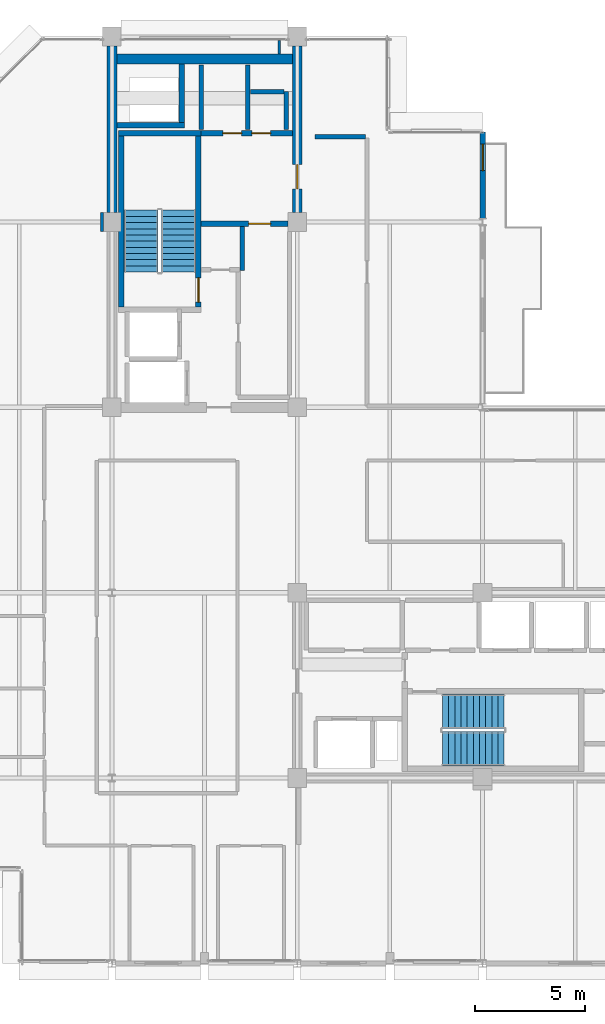
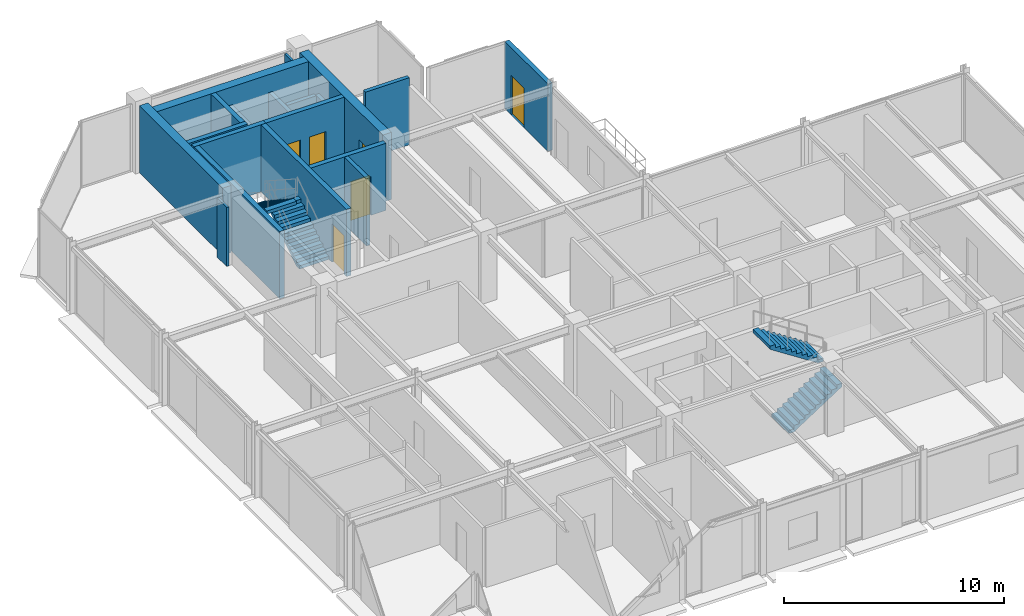
# One storey, part 23 of 27: 19 walls, 6 doors, 4 stair flights, 6 openings, 2 elements without a shape of their own.
"""IFC4 building model written with IfcOpenShell, lengths in metres."""

from ifc_helpers import new_model, si_unit, direction, frame, frame_2d, origin, place, context, subcontext, project, spatial, polyline, rectangle, outline, extrude, material, layer, layer_set, type_object, element, fill, aggregate, save


model = new_model("IFC4")

# Units and contexts
model_context = context("Model", 3, precision=1e-05, world=origin(), true_north=direction((0.0, 1.0)))
body_context = subcontext(model_context, "Body", "Model", "MODEL_VIEW")
ifc_project = project(units=[si_unit("LENGTHUNIT", "METRE"), si_unit("AREAUNIT", "SQUARE_METRE"), si_unit("VOLUMEUNIT", "CUBIC_METRE"), si_unit("PLANEANGLEUNIT", "RADIAN"), si_unit("MASSUNIT", "GRAM", prefix="KILO")], contexts=[model_context])

# Site, building, storey
site_placement = place(None, origin())
site = spatial("IfcSite", under=ifc_project, at=site_placement, CompositionType="ELEMENT")
building_placement = place(site_placement, origin())
building = spatial("IfcBuilding", under=site, at=building_placement, Name="Nerrivon Quay Data Exchange", CompositionType="ELEMENT")
storey_placement = place(building_placement, frame((0.0, 0.0, 278.199951171875)))
storey = spatial("IfcBuildingStorey", under=building, at=storey_placement, Name="L66", CompositionType="ELEMENT", Elevation=278.199951171875)

# Wall, opening, door
ifc_material_1 = material(Name="Architectural terracotta precast concrete N50 (50 MPa)", Category="masonry")
ifc_layer_1 = layer(ifc_material_1, 0.239990234375)
ifc_layer_set_1 = layer_set([ifc_layer_1], Name="Architectural terracotta precast concrete N50 (50 MPa)")
wall_type_1 = type_object("IfcWallType", Name="EW-PREC-240", PredefinedType="STANDARD", material=ifc_layer_set_1)
wall_1_placement = place(storey_placement, frame((25.199951171875, 37.679931640625, 0.0), z_axis=(0.0, 0.0, 1.0), x_axis=(0.0, -1.0, 0.0)))
wall_1 = element("IfcWall", 1, at=wall_1_placement, inside=storey, type_object=wall_type_1, Name="L66 Terrace Host Wall 22", PredefinedType="STANDARD", context=body_context, shape_type="SweptSolid", body=[
    extrude(rectangle(XDim=3.91650390625, YDim=0.239990234375, at=frame_2d((1.958251953125, 0.0))), origin(), (0.0, 0.0, 1.0), 3.72509765625),
])
opening_1_placement = place(wall_1_placement, frame((0.550048828125, 0.0, 0.0)))
opening_1 = element("IfcOpeningElement", 2, at=opening_1_placement, cuts=wall_1, Name="Opening TD1", PredefinedType="OPENING", context=body_context, shape_type="SweptSolid", body=[
    extrude(rectangle(XDim=1.199951171875, YDim=2.199951171875, at=frame_2d((0.60009765625, 1.10009765625))), frame((0.0, 0.1298828125, 0.0), z_axis=(0.0, -1.0, 0.0), x_axis=(1.0, 0.0, 0.0)), (0.0, 0.0, 1.0), 0.260009765625),
])
ifc_material_2 = material(Name="Double-glazed low-E solar control glass", Category="glass")
door_type_1 = type_object("IfcDoorType", Name="DR-TERR-1200x2200", OperationType="NOTDEFINED", PredefinedType="DOOR", material=ifc_material_2)
door_1_placement = place(opening_1_placement, origin())
door_1 = element("IfcDoor", 3, at=door_1_placement, inside=storey, type_object=door_type_1, Name="L66 Outdoor Terrace Access Door 22", OperationType="SINGLE_SWING_LEFT", OverallHeight=2.199951171875, OverallWidth=1.199951171875, PredefinedType="DOOR", context=body_context, shape_type="SweptSolid", body=[
    extrude(rectangle(XDim=1.199951171875, YDim=2.199951171875, at=frame_2d((0.60009765625, 1.10009765625))), frame((0.0, 0.02490234375, 0.0), z_axis=(0.0, -1.0, 0.0), x_axis=(1.0, 0.0, 0.0)), (0.0, 0.0, 1.0), 0.050048828125),
])
fill(opening_1, door_1)

# Walls
ifc_material_3 = material(Name="Concrete N50 (50 MPa)", Category="concrete")
ifc_layer_2 = layer(ifc_material_3, 0.449951171875)
ifc_layer_set_2 = layer_set([ifc_layer_2], Name="Concrete N50 (50 MPa)")
wall_type_2 = type_object("IfcWallType", Name="WALL-CW-550", PredefinedType="SHEAR", material=ifc_layer_set_2)
wall_2_placement = place(storey_placement, frame((8.39990234375, 34.02490234375, 0.0), z_axis=(0.0, 0.0, 1.0), x_axis=(0.0, 1.0, 0.0)))
element("IfcWall", 4, at=wall_2_placement, inside=storey, type_object=wall_type_2, Name="L66 West Split-Core Shear Wall WCW-W2", PredefinedType="SHEAR", context=body_context, shape_type="SweptSolid", body=[
    extrude(rectangle(XDim=7.550048828125, YDim=0.449951171875, at=frame_2d((3.77490234375, 0.0))), origin(), (0.0, 0.0, 1.0), 3.72509765625),
])
wall_3_placement = place(storey_placement, frame((8.625, 40.97509765625, 0.0), z_axis=(0.0, 0.0, 1.0), x_axis=(1.0, 0.0, 0.0)))
element("IfcWall", 5, at=wall_3_placement, inside=storey, type_object=wall_type_2, Name="L66 West Split-Core Shear Wall WCW-N1", PredefinedType="SHEAR", context=body_context, shape_type="SweptSolid", body=[
    extrude(rectangle(XDim=7.949951171875, YDim=0.449951171875, at=frame_2d((3.97509765625, 0.0))), origin(), (0.0, 0.0, 1.0), 3.72509765625),
])

# Wall, opening, door
wall_4_placement = place(storey_placement, frame((16.800048828125, 34.02490234375, 0.0), z_axis=(0.0, 0.0, 1.0), x_axis=(0.0, 1.0, 0.0)))
wall_4 = element("IfcWall", 6, at=wall_4_placement, inside=storey, type_object=wall_type_2, Name="L66 West Split-Core Shear Wall WCW-E1", PredefinedType="SHEAR", context=body_context, shape_type="SweptSolid", body=[
    extrude(rectangle(XDim=7.550048828125, YDim=0.449951171875, at=frame_2d((3.77490234375, 0.0))), origin(), (0.0, 0.0, 1.0), 3.72509765625),
])
opening_2_placement = place(wall_4_placement, frame((1.074951171875, 0.0, 0.0)))
opening_2 = element("IfcOpeningElement", 7, at=opening_2_placement, cuts=wall_4, Name="Opening FD-120", PredefinedType="OPENING", context=body_context, shape_type="SweptSolid", body=[
    extrude(rectangle(XDim=1.10009765625, YDim=2.14990234375, at=frame_2d((0.550048828125, 1.074951171875))), frame((0.0, 0.23486328125, 0.0), z_axis=(0.0, -1.0, 0.0), x_axis=(1.0, 0.0, 0.0)), (0.0, 0.0, 1.0), 0.469970703125),
])
ifc_material_4 = material(Name="Powder-coated galvanized steel sheet", Category="steel")
door_type_2 = type_object("IfcDoorType", Name="DR-FD120-1100", OperationType="NOTDEFINED", PredefinedType="DOOR", material=ifc_material_4)
door_2_placement = place(opening_2_placement, origin())
door_2 = element("IfcDoor", 8, at=door_2_placement, inside=storey, type_object=door_type_2, Name="L66 West Core Lobby Fire Door", OperationType="SINGLE_SWING_RIGHT", OverallHeight=2.14990234375, OverallWidth=1.10009765625, PredefinedType="DOOR", context=body_context, shape_type="SweptSolid", body=[
    extrude(rectangle(XDim=1.10009765625, YDim=2.14990234375, at=frame_2d((0.550048828125, 1.074951171875))), frame((0.0, 0.02490234375, 0.0), z_axis=(0.0, -1.0, 0.0), x_axis=(1.0, 0.0, 0.0)), (0.0, 0.0, 1.0), 0.050048828125),
])
fill(opening_2, door_2)

# Walls
ifc_material_5 = material(Name="Gypsum plasterboard on cold-formed framing", Category="gypsum")
ifc_layer_3 = layer(ifc_material_5, 0.199951171875)
ifc_layer_set_3 = layer_set([ifc_layer_3], Name="Gypsum plasterboard on cold-formed framing")
wall_type_3 = type_object("IfcWallType", Name="WALL-FW-200", PredefinedType="PARTITIONING", material=ifc_layer_set_3)
wall_5_placement = place(storey_placement, frame((14.300048828125, 33.39111328125, 0.0), z_axis=(0.0, 0.0, 1.0), x_axis=(0.0, -1.0, 0.0)))
element("IfcWall", 9, at=wall_5_placement, inside=storey, type_object=wall_type_3, Name="L66 Partition Core Equipment Store", PredefinedType="PARTITIONING", context=body_context, shape_type="SweptSolid", body=[
    extrude(rectangle(XDim=1.9912109375, YDim=0.199951171875, at=frame_2d((0.99560546875, 0.0))), origin(), (0.0, 0.0, 1.0), 3.72509765625),
])
for number, where, z_axis, x_axis, name in (
    (10, (14.550048828125, 37.780029296875, 0.0), (0.0, 0.0, 1.0), (0.0, 1.0, 0.0), "L66 Partition Electrical Switchboard Closet"),
    (11, (12.449951171875, 40.699951171875, 0.0), (0.0, 0.0, 1.0), (0.0, -1.0, 0.0), "L66 Partition Electrical Switchboard Closet"),
):
    element("IfcWall", number, at=place(storey_placement, frame(where, z_axis=z_axis, x_axis=x_axis)), inside=storey, type_object=wall_type_3, Name=name, PredefinedType="PARTITIONING", context=body_context, shape_type="SweptSolid", body=[
        extrude(rectangle(XDim=2.919921875, YDim=0.199951171875, at=frame_2d((1.4599609375, 0.0))), origin(), (0.0, 0.0, 1.0), 2.775146484375),
    ])
wall_6_placement = place(storey_placement, frame((16.300048828125, 37.780029296875, 0.0), z_axis=(0.0, 0.0, 1.0), x_axis=(0.0, 1.0, 0.0)))
element("IfcWall", 12, at=wall_6_placement, inside=storey, type_object=wall_type_3, Name="L66 Partition Janitor Closet", PredefinedType="PARTITIONING", context=body_context, shape_type="SweptSolid", body=[
    extrude(rectangle(XDim=1.719970703125, YDim=0.199951171875, at=frame_2d((0.85986328125, 0.0))), origin(), (0.0, 0.0, 1.0), 2.775146484375),
])
wall_7_placement = place(storey_placement, frame((16.196044921875, 39.5, 0.0), z_axis=(0.0, 0.0, 1.0), x_axis=(-1.0, 0.0, 0.0)))
element("IfcWall", 13, at=wall_7_placement, inside=storey, type_object=wall_type_3, Name="L66 Partition Janitor Closet", PredefinedType="PARTITIONING", context=body_context, shape_type="SweptSolid", body=[
    extrude(rectangle(XDim=1.506103515625, YDim=0.199951171875, at=frame_2d((0.7529296875, 0.0))), origin(), (0.0, 0.0, 1.0), 2.775146484375),
])
wall_8_placement = place(storey_placement, frame((17.60009765625, 37.4599609375, 0.0), z_axis=(0.0, 0.0, 1.0), x_axis=(1.0, 0.0, 0.0)))
element("IfcWall", 14, at=wall_8_placement, inside=storey, type_object=wall_type_3, Name="L66 Partition Colocation Data Workspace 1", PredefinedType="PARTITIONING", context=body_context, shape_type="SweptSolid", body=[
    extrude(rectangle(XDim=2.2998046875, YDim=0.199951171875, at=frame_2d((1.14990234375, 0.0))), origin(), (0.0, 0.0, 1.0), 3.72509765625),
])
ifc_layer_4 = layer(ifc_material_5, 0.1201171875)
ifc_layer_set_4 = layer_set([ifc_layer_4], Name="Gypsum plasterboard on cold-formed framing")
wall_type_4 = type_object("IfcWallType", Name="WALL-PT-120", PredefinedType="PARTITIONING", material=ifc_layer_set_4)
wall_9_placement = place(storey_placement, frame((7.955810546875, 33.169189453125, 0.0), z_axis=(0.0, 0.0, 1.0), x_axis=(-0.000855919801, 0.999999633701, 0.0)))
element("IfcWall", 15, at=wall_9_placement, inside=storey, type_object=wall_type_4, Name="L66 Partition Technical Library", PredefinedType="PARTITIONING", context=body_context, shape_type="SweptSolid", body=[
    extrude(rectangle(XDim=0.855712890625, YDim=0.1201171875, at=frame_2d((0.427734375, 0.0))), origin(), (0.0, 0.0, 1.0), 3.27099609375),
])
wall_10_placement = place(storey_placement, frame((15.98388671875, 41.2041015625, 0.0), z_axis=(0.0, 0.0, 1.0), x_axis=(0.0, 1.0, 0.0)))
element("IfcWall", 16, at=wall_10_placement, inside=storey, type_object=wall_type_4, Name="L66 Partition Technical Library", PredefinedType="PARTITIONING", context=body_context, shape_type="SweptSolid", body=[
    extrude(rectangle(XDim=0.626953125, YDim=0.1201171875, at=frame_2d((0.3134765625, 0.0))), origin(), (0.0, 0.0, 1.0), 3.72509765625),
])
ifc_layer_5 = layer(ifc_material_3, 0.25)
ifc_layer_set_5 = layer_set([ifc_layer_5], Name="Concrete N50 (50 MPa)")
wall_type_5 = type_object("IfcWallType", Name="WALL-SW-250", PredefinedType="SHEAR", material=ifc_layer_set_5)
wall_11_placement = place(storey_placement, frame((12.449951171875, 37.625, 0.0), z_axis=(0.0, 0.0, 1.0), x_axis=(-1.0, 0.0, 0.0)))
element("IfcWall", 17, at=wall_11_placement, inside=storey, type_object=wall_type_5, Name="L66 ST01 Structural Stair Core Wall FAR", PredefinedType="SHEAR", context=body_context, shape_type="SweptSolid", body=[
    extrude(rectangle(XDim=3.75, YDim=0.25, at=frame_2d((1.875, 0.0))), origin(), (0.0, 0.0, 1.0), 3.72509765625),
])

# Wall, opening, door
wall_12_placement = place(storey_placement, frame((12.324951171875, 29.75, 0.0), z_axis=(0.0, 0.0, 1.0), x_axis=(0.0, 1.0, 0.0)))
wall_12 = element("IfcWall", 18, at=wall_12_placement, inside=storey, type_object=wall_type_5, Name="L66 ST01 Structural Stair Core Wall LEFT", PredefinedType="SHEAR", context=body_context, shape_type="SweptSolid", body=[
    extrude(rectangle(XDim=7.75, YDim=0.25, at=frame_2d((3.875, 0.0))), origin(), (0.0, 0.0, 1.0), 3.72509765625),
])
opening_3_placement = place(wall_12_placement, frame((0.219970703125, 0.0, 0.0)))
opening_3 = element("IfcOpeningElement", 19, at=opening_3_placement, cuts=wall_12, Name="Opening FD-120", PredefinedType="OPENING", context=body_context, shape_type="SweptSolid", body=[
    extrude(rectangle(XDim=1.10009765625, YDim=2.14990234375, at=frame_2d((0.550048828125, 1.074951171875))), frame((0.0, 0.135009765625, 0.0), z_axis=(0.0, -1.0, 0.0), x_axis=(1.0, 0.0, 0.0)), (0.0, 0.0, 1.0), 0.27001953125),
])
door_3_placement = place(opening_3_placement, origin())
door_3 = element("IfcDoor", 20, at=door_3_placement, inside=storey, type_object=door_type_2, Name="L66 Protected Stair Door ST01", OperationType="SINGLE_SWING_RIGHT", OverallHeight=2.14990234375, OverallWidth=1.10009765625, PredefinedType="DOOR", context=body_context, shape_type="SweptSolid", body=[
    extrude(rectangle(XDim=1.10009765625, YDim=2.14990234375, at=frame_2d((0.550048828125, 1.074951171875))), frame((0.0, 0.02490234375, 0.0), z_axis=(0.0, -1.0, 0.0), x_axis=(1.0, 0.0, 0.0)), (0.0, 0.0, 1.0), 0.050048828125),
])
fill(opening_3, door_3)

# Walls
wall_13_placement = place(storey_placement, frame((8.824951171875, 29.75, 0.0), z_axis=(0.0, 0.0, 1.0), x_axis=(0.0, 1.0, 0.0)))
element("IfcWall", 21, at=wall_13_placement, inside=storey, type_object=wall_type_5, Name="L66 ST01 Structural Stair Core Wall RIGHT", PredefinedType="SHEAR", context=body_context, shape_type="SweptSolid", body=[
    extrude(rectangle(XDim=7.75, YDim=0.25, at=frame_2d((3.875, 0.0))), origin(), (0.0, 0.0, 1.0), 3.72509765625),
])
wall_14_placement = place(storey_placement, frame((8.625, 37.97509765625, 0.0), z_axis=(0.0, 0.0, 1.0), x_axis=(1.0, 0.0, 0.0)))
element("IfcWall", 22, at=wall_14_placement, inside=storey, type_object=wall_type_5, Name="L66 West Core MEP Riser Shaft Wall S", PredefinedType="SHEAR", context=body_context, shape_type="SweptSolid", body=[
    extrude(rectangle(XDim=3.074951171875, YDim=0.25, at=frame_2d((1.53759765625, 0.0))), origin(), (0.0, 0.0, 1.0), 3.72509765625),
])
wall_15_placement = place(storey_placement, frame((11.574951171875, 38.10009765625, 0.0), z_axis=(0.0, 0.0, 1.0), x_axis=(0.0, 1.0, 0.0)))
element("IfcWall", 23, at=wall_15_placement, inside=storey, type_object=wall_type_5, Name="L66 West Core MEP Riser Shaft Wall E", PredefinedType="SHEAR", context=body_context, shape_type="SweptSolid", body=[
    extrude(rectangle(XDim=2.64990234375, YDim=0.25, at=frame_2d((1.324951171875, 0.0))), origin(), (0.0, 0.0, 1.0), 3.72509765625),
])

# Wall, opening, door
wall_16_placement = place(storey_placement, frame((12.449951171875, 33.52001953125, 0.0), z_axis=(0.0, 0.0, 1.0), x_axis=(1.0, 0.0, 0.0)))
wall_16 = element("IfcWall", 24, at=wall_16_placement, inside=storey, type_object=wall_type_5, Name="L66 West Lobby Smoke-Stop Wall", PredefinedType="SHEAR", context=body_context, shape_type="SweptSolid", body=[
    extrude(rectangle(XDim=3.925048828125, YDim=0.25, at=frame_2d((1.96240234375, 0.0))), origin(), (0.0, 0.0, 1.0), 3.72509765625),
])
opening_4_placement = place(wall_16_placement, frame((2.14990234375, 0.0, 0.0)))
opening_4 = element("IfcOpeningElement", 25, at=opening_4_placement, cuts=wall_16, Name="Opening FD-60", PredefinedType="OPENING", context=body_context, shape_type="SweptSolid", body=[
    extrude(rectangle(XDim=1.0, YDim=2.14990234375, at=frame_2d((0.5, 1.074951171875))), frame((0.0, 0.135009765625, 0.0), z_axis=(0.0, -1.0, 0.0), x_axis=(1.0, 0.0, 0.0)), (0.0, 0.0, 1.0), 0.27001953125),
])
ifc_material_6 = material(Name="Engineered hardwood timber", Category="wood")
door_type_3 = type_object("IfcDoorType", Name="DR-FD60-1000", OperationType="NOTDEFINED", PredefinedType="DOOR", material=ifc_material_6)
door_4_placement = place(opening_4_placement, origin())
door_4 = element("IfcDoor", 26, at=door_4_placement, inside=storey, type_object=door_type_3, Name="L66 West Firefighting Lobby Fire Door", OperationType="SINGLE_SWING_RIGHT", OverallHeight=2.14990234375, OverallWidth=1.0, PredefinedType="DOOR", context=body_context, shape_type="SweptSolid", body=[
    extrude(rectangle(XDim=1.0, YDim=2.14990234375, at=frame_2d((0.5, 1.074951171875))), frame((0.0, 0.02490234375, 0.0), z_axis=(0.0, -1.0, 0.0), x_axis=(1.0, 0.0, 0.0)), (0.0, 0.0, 1.0), 0.050048828125),
])
fill(opening_4, door_4)

# Wall, openings, doors
wall_17_placement = place(storey_placement, frame((12.449951171875, 37.625, 0.0), z_axis=(0.0, 0.0, 1.0), x_axis=(1.0, 0.0, 0.0)))
wall_17 = element("IfcWall", 27, at=wall_17_placement, inside=storey, type_object=wall_type_5, Name="L66 West Firefighting Lobby Wall", PredefinedType="SHEAR", context=body_context, shape_type="SweptSolid", body=[
    extrude(rectangle(XDim=4.125, YDim=0.25, at=frame_2d((2.0625, 0.0))), origin(), (0.0, 0.0, 1.0), 3.72509765625),
])
opening_5_placement = place(wall_17_placement, frame((0.9775390625, 0.0, 0.0)))
opening_5 = element("IfcOpeningElement", 28, at=opening_5_placement, cuts=wall_17, Name="Opening FD-60S", PredefinedType="OPENING", context=body_context, shape_type="SweptSolid", body=[
    extrude(rectangle(XDim=0.85009765625, YDim=2.14990234375, at=frame_2d((0.425048828125, 1.074951171875))), frame((0.0, 0.135009765625, 0.0), z_axis=(0.0, -1.0, 0.0), x_axis=(1.0, 0.0, 0.0)), (0.0, 0.0, 1.0), 0.27001953125),
])
opening_6_placement = place(wall_17_placement, frame((2.297607421875, 0.0, 0.0)))
opening_6 = element("IfcOpeningElement", 29, at=opening_6_placement, cuts=wall_17, Name="Opening FD-60S", PredefinedType="OPENING", context=body_context, shape_type="SweptSolid", body=[
    extrude(rectangle(XDim=0.85009765625, YDim=2.14990234375, at=frame_2d((0.425048828125, 1.074951171875))), frame((0.0, 0.135009765625, 0.0), z_axis=(0.0, -1.0, 0.0), x_axis=(1.0, 0.0, 0.0)), (0.0, 0.0, 1.0), 0.27001953125),
])
door_type_4 = type_object("IfcDoorType", Name="DR-FD60-850", OperationType="NOTDEFINED", PredefinedType="DOOR", material=ifc_material_6)
door_5_placement = place(opening_5_placement, origin())
door_5 = element("IfcDoor", 30, at=door_5_placement, inside=storey, type_object=door_type_4, Name="L66 Door Electrical Switchboard Closet", OperationType="SINGLE_SWING_RIGHT", OverallHeight=2.14990234375, OverallWidth=0.85009765625, PredefinedType="DOOR", context=body_context, shape_type="SweptSolid", body=[
    extrude(rectangle(XDim=0.85009765625, YDim=2.14990234375, at=frame_2d((0.425048828125, 1.074951171875))), frame((0.0, 0.02490234375, 0.0), z_axis=(0.0, -1.0, 0.0), x_axis=(1.0, 0.0, 0.0)), (0.0, 0.0, 1.0), 0.050048828125),
])
fill(opening_5, door_5)
door_6_placement = place(opening_6_placement, origin())
door_6 = element("IfcDoor", 31, at=door_6_placement, inside=storey, type_object=door_type_4, Name="L66 Door Janitor Closet", OperationType="SINGLE_SWING_LEFT", OverallHeight=2.14990234375, OverallWidth=0.85009765625, PredefinedType="DOOR", context=body_context, shape_type="SweptSolid", body=[
    extrude(rectangle(XDim=0.85009765625, YDim=2.14990234375, at=frame_2d((0.425048828125, 1.074951171875))), frame((0.0, 0.02490234375, 0.0), z_axis=(0.0, -1.0, 0.0), x_axis=(1.0, 0.0, 0.0)), (0.0, 0.0, 1.0), 0.050048828125),
])
fill(opening_6, door_6)

# Stair, stair flights
stair_type = type_object("IfcStairType", Name="STAIR-DOG-40", PredefinedType="HALF_TURN_STAIR", material=ifc_material_3)
stair_1_placement = place(storey_placement, origin())
stair_1 = element("IfcStair", 32, at=stair_1_placement, inside=storey, type_object=stair_type, Name="L66 West Core Fire Stair ST01", PredefinedType="HALF_TURN_STAIR")
stair_flight_type = type_object("IfcStairFlightType", Name="FLIGHT-DOG-40", PredefinedType="STRAIGHT", material=ifc_material_3)
stair_flight_1_placement = place(storey_placement, frame((11.425048828125, 31.330078125, 0.0), z_axis=(0.0, 0.0, 1.0), x_axis=(0.0, 1.0, 0.0)))
stair_flight_1 = element("IfcStairFlight", 33, at=stair_flight_1_placement, type_object=stair_flight_type, Name="ST01 flight 1", NumberOfRisers=11, NumberOfTreads=10, PredefinedType="STRAIGHT", RiserHeight=0.181818182, TreadLength=0.28, context=body_context, shape_type="SweptSolid", body=[
    extrude(outline(polyline([(0.0, 0.0), (0.0, 0.181884765625), (0.280029296875, 0.181884765625), (0.280029296875, 0.363525390625), (0.56005859375, 0.363525390625), (0.56005859375, 0.54541015625), (0.840087890625, 0.54541015625), (0.840087890625, 0.727294921875), (1.1201171875, 0.727294921875), (1.1201171875, 0.9091796875), (1.39990234375, 0.9091796875), (1.39990234375, 1.0908203125), (1.679931640625, 1.0908203125), (1.679931640625, 1.272705078125), (1.9599609375, 1.272705078125), (1.9599609375, 1.45458984375), (2.239990234375, 1.45458984375), (2.239990234375, 1.636474609375), (2.52001953125, 1.636474609375), (2.52001953125, 1.818115234375), (2.800048828125, 1.818115234375), (2.800048828125, 2.0), (2.800048828125, 1.639404296875), (0.275146484375, 0.0), (0.0, 0.0)])), frame((0.0, 0.77490234375, 0.0), z_axis=(0.0, -1.0, 0.0), x_axis=(1.0, 0.0, 0.0)), (0.0, 0.0, 1.0), 1.550048828125),
])
stair_flight_2_placement = place(storey_placement, frame((9.72509765625, 34.1298828125, 2.0), z_axis=(0.0, 0.0, 1.0), x_axis=(0.0, -1.0, 0.0)))
stair_flight_2 = element("IfcStairFlight", 34, at=stair_flight_2_placement, type_object=stair_flight_type, Name="ST01 flight 2", NumberOfRisers=11, NumberOfTreads=10, PredefinedType="STRAIGHT", RiserHeight=0.181818182, TreadLength=0.28, context=body_context, shape_type="SweptSolid", body=[
    extrude(outline(polyline([(0.0, 0.0), (0.0, 0.181884765625), (0.280029296875, 0.181884765625), (0.280029296875, 0.363525390625), (0.56005859375, 0.363525390625), (0.56005859375, 0.54541015625), (0.840087890625, 0.54541015625), (0.840087890625, 0.727294921875), (1.1201171875, 0.727294921875), (1.1201171875, 0.9091796875), (1.39990234375, 0.9091796875), (1.39990234375, 1.0908203125), (1.679931640625, 1.0908203125), (1.679931640625, 1.272705078125), (1.9599609375, 1.272705078125), (1.9599609375, 1.45458984375), (2.239990234375, 1.45458984375), (2.239990234375, 1.636474609375), (2.52001953125, 1.636474609375), (2.52001953125, 1.818115234375), (2.800048828125, 1.818115234375), (2.800048828125, 2.0), (2.800048828125, 1.639404296875), (0.275146484375, 0.0), (0.0, 0.0)])), frame((0.0, 0.77490234375, 0.0), z_axis=(0.0, -1.0, 0.0), x_axis=(1.0, 0.0, 0.0)), (0.0, 0.0, 1.0), 1.550048828125),
])
aggregate(stair_1, [stair_flight_1, stair_flight_2])

stair_2_placement = place(storey_placement, origin())
stair_2 = element("IfcStair", 35, at=stair_2_placement, inside=storey, type_object=stair_type, Name="L66 East Core Fire Stair ST02", PredefinedType="HALF_TURN_STAIR")
stair_flight_3_placement = place(storey_placement, frame((23.3798828125, 9.72509765625, 0.0), z_axis=(0.0, 0.0, 1.0), x_axis=(1.0, 0.0, 0.0)))
stair_flight_3 = element("IfcStairFlight", 36, at=stair_flight_3_placement, type_object=stair_flight_type, Name="ST02 flight 1", NumberOfRisers=11, NumberOfTreads=10, PredefinedType="STRAIGHT", RiserHeight=0.181818182, TreadLength=0.28, context=body_context, shape_type="SweptSolid", body=[
    extrude(outline(polyline([(0.0, 0.0), (0.0, 0.181884765625), (0.280029296875, 0.181884765625), (0.280029296875, 0.363525390625), (0.56005859375, 0.363525390625), (0.56005859375, 0.54541015625), (0.840087890625, 0.54541015625), (0.840087890625, 0.727294921875), (1.1201171875, 0.727294921875), (1.1201171875, 0.9091796875), (1.39990234375, 0.9091796875), (1.39990234375, 1.0908203125), (1.679931640625, 1.0908203125), (1.679931640625, 1.272705078125), (1.9599609375, 1.272705078125), (1.9599609375, 1.45458984375), (2.239990234375, 1.45458984375), (2.239990234375, 1.636474609375), (2.52001953125, 1.636474609375), (2.52001953125, 1.818115234375), (2.800048828125, 1.818115234375), (2.800048828125, 2.0), (2.800048828125, 1.639404296875), (0.275146484375, 0.0), (0.0, 0.0)])), frame((0.0, 0.77490234375, 0.0), z_axis=(0.0, -1.0, 0.0), x_axis=(1.0, 0.0, 0.0)), (0.0, 0.0, 1.0), 1.550048828125),
])
stair_flight_4_placement = place(storey_placement, frame((26.179931640625, 11.425048828125, 2.0), z_axis=(0.0, 0.0, 1.0), x_axis=(-1.0, 0.0, 0.0)))
stair_flight_4 = element("IfcStairFlight", 37, at=stair_flight_4_placement, type_object=stair_flight_type, Name="ST02 flight 2", NumberOfRisers=11, NumberOfTreads=10, PredefinedType="STRAIGHT", RiserHeight=0.181818182, TreadLength=0.28, context=body_context, shape_type="SweptSolid", body=[
    extrude(outline(polyline([(0.0, 0.0), (0.0, 0.181884765625), (0.280029296875, 0.181884765625), (0.280029296875, 0.363525390625), (0.56005859375, 0.363525390625), (0.56005859375, 0.54541015625), (0.840087890625, 0.54541015625), (0.840087890625, 0.727294921875), (1.1201171875, 0.727294921875), (1.1201171875, 0.9091796875), (1.39990234375, 0.9091796875), (1.39990234375, 1.0908203125), (1.679931640625, 1.0908203125), (1.679931640625, 1.272705078125), (1.9599609375, 1.272705078125), (1.9599609375, 1.45458984375), (2.239990234375, 1.45458984375), (2.239990234375, 1.636474609375), (2.52001953125, 1.636474609375), (2.52001953125, 1.818115234375), (2.800048828125, 1.818115234375), (2.800048828125, 2.0), (2.800048828125, 1.639404296875), (0.275146484375, 0.0), (0.0, 0.0)])), frame((0.0, 0.77490234375, 0.0), z_axis=(0.0, -1.0, 0.0), x_axis=(1.0, 0.0, 0.0)), (0.0, 0.0, 1.0), 1.550048828125),
])
aggregate(stair_2, [stair_flight_3, stair_flight_4])

save(model, "model.ifc")
